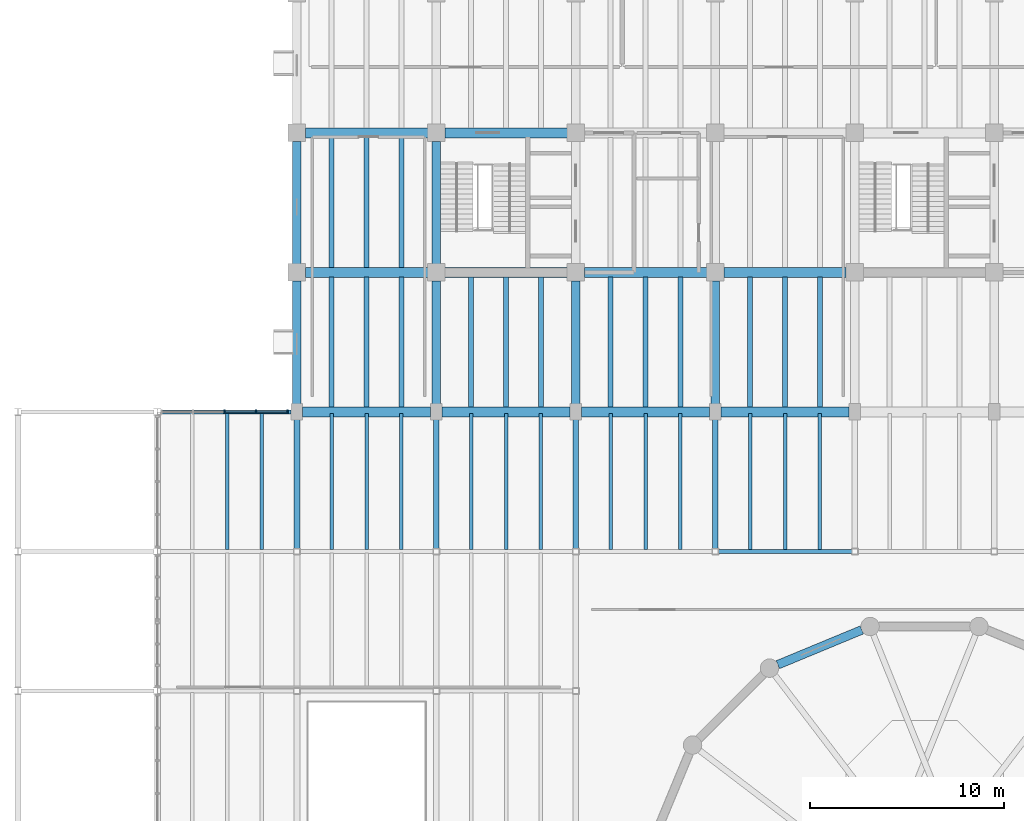
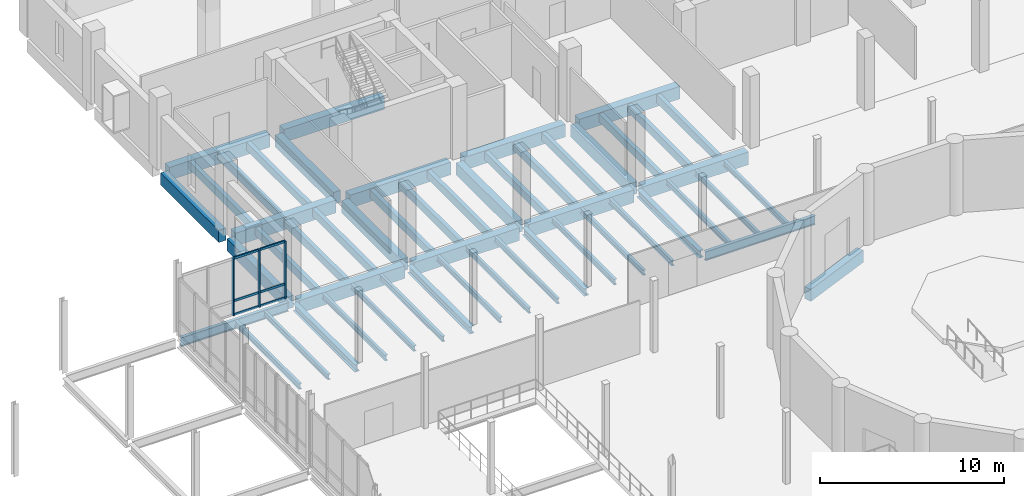
# One storey, part 35 of 77: 52 beams, 9 members, 1 element without a shape of its own.
"""IFC4 building model written with IfcOpenShell, lengths in metres."""

from ifc_helpers import new_model, si_unit, direction, frame, origin, origin_2d, place, context, subcontext, project, spatial, rectangle, i_section, extrude, material, material_profile, profile_set, type_object, element, aggregate, save


model = new_model("IFC4")

# Units and contexts
model_context = context("Model", 3, precision=1e-05, world=origin(), true_north=direction((0.0, 1.0)))
body_context = subcontext(model_context, "Body", "Model", "MODEL_VIEW")
ifc_project = project(units=[si_unit("LENGTHUNIT", "METRE"), si_unit("AREAUNIT", "SQUARE_METRE"), si_unit("VOLUMEUNIT", "CUBIC_METRE"), si_unit("PLANEANGLEUNIT", "RADIAN"), si_unit("MASSUNIT", "GRAM", prefix="KILO")], contexts=[model_context])

# Site, building, storey
site_placement = place(None, origin())
site = spatial("IfcSite", under=ifc_project, at=site_placement, CompositionType="ELEMENT")
building_placement = place(site_placement, origin())
building = spatial("IfcBuilding", under=site, at=building_placement, Name="Qiaolan Assembly House", CompositionType="ELEMENT")
storey_placement = place(building_placement, frame((0.0, 0.0, 5.39990234375)))
storey = spatial("IfcBuildingStorey", under=building, at=storey_placement, Name="L01", CompositionType="ELEMENT", Elevation=5.39990234375)

# Beams
ifc_material_1 = material(Name="Concrete C40/50", Category="concrete")
ifc_material_profile_1 = material_profile(ifc_material_1, rectangle(XDim=0.449951171875, YDim=0.800048828125, at=origin_2d()), Name="RCB 450x800")
ifc_profile_set_1 = profile_set([ifc_material_profile_1], Name="Concrete C40/50")
beam_type_1 = type_object("IfcBeamType", Name="BM-RC-450x800", PredefinedType="BEAM", material=ifc_profile_set_1)
beam_1_placement = place(storey_placement, frame((36.0, 86.68994140625, -0.64990234375), z_axis=(0.0, 1.0, 0.0), x_axis=(-1.0, 0.0, 0.0)))
element("IfcBeam", 1, at=beam_1_placement, inside=storey, type_object=beam_type_1, Name="GB-03 beam BMY-NW-L01-00-00", PredefinedType="BEAM", context=body_context, shape_type="SweptSolid", body=[
    extrude(rectangle(XDim=0.449951171875, YDim=0.800048828125, at=origin_2d()), origin(), (0.0, 0.0, 1.0), 6.469970703125),
])
beam_2_placement = place(storey_placement, frame((36.0, 94.0400390625, -0.64990234375), z_axis=(0.0, 1.0, 0.0), x_axis=(-1.0, 0.0, 0.0)))
element("IfcBeam", 2, at=beam_2_placement, inside=storey, type_object=beam_type_1, Name="GB-03 beam BMY-NW-L01-00-01", PredefinedType="BEAM", context=body_context, shape_type="SweptSolid", body=[
    extrude(rectangle(XDim=0.449951171875, YDim=0.800048828125, at=origin_2d()), origin(), (0.0, 0.0, 1.0), 6.320068359375),
])
beam_3_placement = place(storey_placement, frame((43.199951171875, 86.68994140625, -0.64990234375), z_axis=(0.0, 1.0, 0.0), x_axis=(-1.0, 0.0, 0.0)))
element("IfcBeam", 3, at=beam_3_placement, inside=storey, type_object=beam_type_1, Name="GB-03 beam BMY-NW-L01-01-00", PredefinedType="BEAM", context=body_context, shape_type="SweptSolid", body=[
    extrude(rectangle(XDim=0.449951171875, YDim=0.800048828125, at=origin_2d()), origin(), (0.0, 0.0, 1.0), 6.469970703125),
])
beam_4_placement = place(storey_placement, frame((43.199951171875, 94.0400390625, -0.64990234375), z_axis=(0.0, 1.0, 0.0), x_axis=(-1.0, 0.0, 0.0)))
element("IfcBeam", 4, at=beam_4_placement, inside=storey, type_object=beam_type_1, Name="GB-03 beam BMY-NW-L01-01-01", PredefinedType="BEAM", context=body_context, shape_type="SweptSolid", body=[
    extrude(rectangle(XDim=0.449951171875, YDim=0.800048828125, at=origin_2d()), origin(), (0.0, 0.0, 1.0), 6.320068359375),
])
for number, where, z_axis, x_axis, name in (
    (5, (50.39990234375, 86.68994140625, -0.64990234375), (0.0, 1.0, 0.0), (-1.0, 0.0, 0.0), "GB-03 beam BMY-NW-L01-02-00"),
    (6, (57.60009765625, 86.68994140625, -0.64990234375), (0.0, 1.0, 0.0), (-1.0, 0.0, 0.0), "GB-03 beam BMY-NW-L01-03-00"),
):
    element("IfcBeam", number, at=place(storey_placement, frame(where, z_axis=z_axis, x_axis=x_axis)), inside=storey, type_object=beam_type_1, Name=name, PredefinedType="BEAM", context=body_context, shape_type="SweptSolid", body=[
        extrude(rectangle(XDim=0.449951171875, YDim=0.800048828125, at=origin_2d()), origin(), (0.0, 0.0, 1.0), 6.469970703125),
    ])
beam_5_placement = place(storey_placement, frame((65.1611328125, 75.145263671875, -0.68994140625), z_axis=(-0.923886734906, -0.382666043782, 0.0), x_axis=(0.382666043782, -0.923886734906, 0.0)))
element("IfcBeam", 7, at=beam_5_placement, inside=storey, type_object=beam_type_1, Name="GB-03 beam BM-DRUM-L01-04", PredefinedType="BEAM", context=body_context, shape_type="SweptSolid", body=[
    extrude(rectangle(XDim=0.449951171875, YDim=0.800048828125, at=origin_2d()), origin(), (0.0, 0.0, 1.0), 4.688720703125),
])
ifc_material_2 = material(Name="Concrete C45/55", Category="concrete")
ifc_material_profile_2 = material_profile(ifc_material_2, rectangle(XDim=0.5, YDim=0.85009765625, at=origin_2d()), Name="RCB 500x850")
ifc_profile_set_2 = profile_set([ifc_material_profile_2], Name="Concrete C45/55")
beam_type_2 = type_object("IfcBeamType", Name="BM-RC-500x850", PredefinedType="BEAM", material=ifc_profile_set_2)
beam_6_placement = place(storey_placement, frame((36.2900390625, 86.39990234375, -0.724853515625), z_axis=(1.0, 0.0, 0.0), x_axis=(0.0, 1.0, 0.0)))
element("IfcBeam", 8, at=beam_6_placement, inside=storey, type_object=beam_type_2, Name="GB-02 beam BMX-NW-L01-00-00", PredefinedType="BEAM", context=body_context, shape_type="SweptSolid", body=[
    extrude(rectangle(XDim=0.5, YDim=0.85009765625, at=origin_2d()), origin(), (0.0, 0.0, 1.0), 6.619873046875),
])
for number, where, z_axis, x_axis, name in (
    (9, (43.489990234375, 86.39990234375, -0.724853515625), (1.0, 0.0, 0.0), (0.0, 1.0, 0.0), "GB-02 beam BMX-NW-L01-01-00"),
    (10, (50.68994140625, 86.39990234375, -0.724853515625), (1.0, 0.0, 0.0), (0.0, 1.0, 0.0), "GB-02 beam BMX-NW-L01-02-00"),
    (11, (57.889892578125, 86.39990234375, -0.724853515625), (1.0, 0.0, 0.0), (0.0, 1.0, 0.0), "GB-02 beam BMX-NW-L01-03-00"),
):
    element("IfcBeam", number, at=place(storey_placement, frame(where, z_axis=z_axis, x_axis=x_axis)), inside=storey, type_object=beam_type_2, Name=name, PredefinedType="BEAM", context=body_context, shape_type="SweptSolid", body=[
        extrude(rectangle(XDim=0.5, YDim=0.85009765625, at=origin_2d()), origin(), (0.0, 0.0, 1.0), 6.6201171875),
    ])
for number, where, z_axis, x_axis, name in (
    (12, (36.43994140625, 93.60009765625, -0.6748046875), (1.0, 0.0, 0.0), (0.0, 1.0, 0.0), "GB-02 beam BMX-NW-L01-00-01"),
    (13, (43.639892578125, 93.60009765625, -0.6748046875), (1.0, 0.0, 0.0), (0.0, 1.0, 0.0), "GB-02 beam BMX-NW-L01-01-01"),
):
    element("IfcBeam", number, at=place(storey_placement, frame(where, z_axis=z_axis, x_axis=x_axis)), inside=storey, type_object=beam_type_2, Name=name, PredefinedType="BEAM", context=body_context, shape_type="SweptSolid", body=[
        extrude(rectangle(XDim=0.5, YDim=0.85009765625, at=origin_2d()), origin(), (0.0, 0.0, 1.0), 6.320068359375),
    ])
beam_7_placement = place(storey_placement, frame((50.840087890625, 93.60009765625, -0.6748046875), z_axis=(1.0, 0.0, 0.0), x_axis=(0.0, 1.0, 0.0)))
element("IfcBeam", 14, at=beam_7_placement, inside=storey, type_object=beam_type_2, Name="GB-02 beam BMX-NW-L01-02-01", PredefinedType="BEAM", context=body_context, shape_type="SweptSolid", body=[
    extrude(rectangle(XDim=0.5, YDim=0.85009765625, at=origin_2d()), origin(), (0.0, 0.0, 1.0), 6.31982421875),
])
for number, where, z_axis, x_axis, name in (
    (15, (58.0400390625, 93.60009765625, -0.6748046875), (1.0, 0.0, 0.0), (0.0, 1.0, 0.0), "GB-02 beam BMX-NW-L01-03-01"),
    (16, (36.43994140625, 100.800048828125, -0.6748046875), (1.0, 0.0, 0.0), (0.0, 1.0, 0.0), "GB-02 beam BMX-NW-L01-00-02"),
    (17, (43.639892578125, 100.800048828125, -0.6748046875), (1.0, 0.0, 0.0), (0.0, 1.0, 0.0), "GB-02 beam BMX-NW-L01-01-02"),
):
    element("IfcBeam", number, at=place(storey_placement, frame(where, z_axis=z_axis, x_axis=x_axis)), inside=storey, type_object=beam_type_2, Name=name, PredefinedType="BEAM", context=body_context, shape_type="SweptSolid", body=[
        extrude(rectangle(XDim=0.5, YDim=0.85009765625, at=origin_2d()), origin(), (0.0, 0.0, 1.0), 6.320068359375),
    ])
ifc_material_3 = material(Name="Steel Q355B", Category="steel")
ifc_material_profile_3 = material_profile(ifc_material_3, i_section(OverallWidth=0.300048828125, OverallDepth=0.488037109375, WebThickness=0.010986328125, FlangeThickness=0.01806640625, FilletRadius=0.02001953125, at=origin_2d()), Name="HM 488x300x11x18")
ifc_profile_set_3 = profile_set([ifc_material_profile_3], Name="Steel Q355B")
beam_type_3 = type_object("IfcBeamType", Name="BM-STL-HM488", PredefinedType="BEAM", material=ifc_profile_set_3)
for number, where, z_axis, x_axis, name in (
    (18, (36.0, 79.35009765625, -0.5439453125), (0.0, 1.0, 0.0), (-1.0, 0.0, 0.0), "SB-04 beam BMY-HL-L01-02-06"),
    (19, (43.199951171875, 79.35009765625, -0.5439453125), (0.0, 1.0, 0.0), (-1.0, 0.0, 0.0), "SB-04 beam BMY-HL-L01-03-06"),
    (20, (50.39990234375, 79.35009765625, -0.5439453125), (0.0, 1.0, 0.0), (-1.0, 0.0, 0.0), "SB-04 beam BMY-HL-L01-04-06"),
    (21, (57.60009765625, 79.35009765625, -0.5439453125), (0.0, 1.0, 0.0), (-1.0, 0.0, 0.0), "SB-04 beam BMY-HL-L01-05-06"),
):
    element("IfcBeam", number, at=place(storey_placement, frame(where, z_axis=z_axis, x_axis=x_axis)), inside=storey, type_object=beam_type_3, Name=name, PredefinedType="BEAM", context=body_context, shape_type="SweptSolid", body=[
        extrude(i_section(OverallWidth=0.300048828125, OverallDepth=0.488037109375, WebThickness=0.010986328125, FlangeThickness=0.01806640625, FilletRadius=0.02001953125, at=origin_2d()), origin(), (0.0, 0.0, 1.0), 6.760009765625),
    ])
ifc_material_profile_4 = material_profile(ifc_material_3, i_section(OverallWidth=0.199951171875, OverallDepth=0.60009765625, WebThickness=0.010986328125, FlangeThickness=0.01708984375, FilletRadius=0.02001953125, at=origin_2d()), Name="HN 600x200x11x17")
ifc_profile_set_4 = profile_set([ifc_material_profile_4], Name="Steel Q355B")
beam_type_4 = type_object("IfcBeamType", Name="BM-STL-HN600", PredefinedType="BEAM", material=ifc_profile_set_4)
beam_8_placement = place(storey_placement, frame((57.75, 79.199951171875, -0.599853515625), z_axis=(1.0, 0.0, 0.0), x_axis=(0.0, 1.0, 0.0)))
element("IfcBeam", 22, at=beam_8_placement, inside=storey, type_object=beam_type_4, Name="SB-03 beam BMX-HL-L01-05-06", PredefinedType="BEAM", context=body_context, shape_type="SweptSolid", body=[
    extrude(i_section(OverallWidth=0.199951171875, OverallDepth=0.60009765625, WebThickness=0.010986328125, FlangeThickness=0.01708984375, FilletRadius=0.02001953125, at=origin_2d()), origin(), (0.0, 0.0, 1.0), 6.89990234375),
])
beam_9_placement = place(storey_placement, frame((28.965087890625, 86.39990234375, -0.599853515625), z_axis=(1.0, 0.0, 0.0), x_axis=(0.0, 1.0, 0.0)))
element("IfcBeam", 23, at=beam_9_placement, inside=storey, type_object=beam_type_4, Name="SB-03 beam BMX-HL-L01-01-07", PredefinedType="BEAM", context=body_context, shape_type="SweptSolid", body=[
    extrude(i_section(OverallWidth=0.199951171875, OverallDepth=0.60009765625, WebThickness=0.010986328125, FlangeThickness=0.01708984375, FilletRadius=0.02001953125, at=origin_2d()), origin(), (0.0, 0.0, 1.0), 6.744873046875),
])

# Curtain wall, members
ifc_material_4 = material(Name="Anodised bronze aluminium", Category="aluminium")
curtain_wall_type = type_object("IfcCurtainWallType", Name="CW-HALL-UPPER-480", PredefinedType="NOTDEFINED", material=ifc_material_4)
curtain_wall_placement = place(storey_placement, origin())
curtain_wall = element("IfcCurtainWall", 24, at=curtain_wall_placement, inside=storey, type_object=curtain_wall_type, Name="CW-02 Hall North-West link CW L01", PredefinedType="NOTDEFINED")
ifc_material_profile_5 = material_profile(ifc_material_4, rectangle(XDim=0.0859375, YDim=0.199951171875, at=origin_2d()), Name="MUL 86x200")
ifc_profile_set_5 = profile_set([ifc_material_profile_5], Name="Anodised bronze aluminium")
member_type_1 = type_object("IfcMemberType", Name="CW-HALL-UPPER-480-MUL", PredefinedType="MULLION", material=ifc_profile_set_5)
member_1_placement = place(storey_placement, frame((35.52001953125, 86.39990234375, 0.0), z_axis=(0.0, 0.0, 1.0), x_axis=(-1.0, 0.0, 0.0)))
member_1 = element("IfcMember", 25, at=member_1_placement, type_object=member_type_1, Name="ML-02 mullion CW-HALL-NWJ-L01-1", PredefinedType="MULLION", context=body_context, shape_type="SweptSolid", body=[
    extrude(rectangle(XDim=0.0859375, YDim=0.199951171875, at=origin_2d()), origin(), (0.0, 0.0, 1.0), 3.800048828125),
])
member_2_placement = place(storey_placement, frame((33.89501953125, 86.39990234375, 0.0), z_axis=(0.0, 0.0, 1.0), x_axis=(-1.0, 0.0, 0.0)))
member_2 = element("IfcMember", 26, at=member_2_placement, type_object=member_type_1, Name="ML-02 mullion CW-HALL-NWJ-L01-2", PredefinedType="MULLION", context=body_context, shape_type="SweptSolid", body=[
    extrude(rectangle(XDim=0.0859375, YDim=0.199951171875, at=origin_2d()), origin(), (0.0, 0.0, 1.0), 3.800048828125),
])
member_3_placement = place(storey_placement, frame((32.27001953125, 86.39990234375, 0.0), z_axis=(0.0, 0.0, 1.0), x_axis=(-1.0, 0.0, 0.0)))
member_3 = element("IfcMember", 27, at=member_3_placement, type_object=member_type_1, Name="ML-02 mullion CW-HALL-NWJ-L01-3", PredefinedType="MULLION", context=body_context, shape_type="SweptSolid", body=[
    extrude(rectangle(XDim=0.0859375, YDim=0.199951171875, at=origin_2d()), origin(), (0.0, 0.0, 1.0), 3.800048828125),
])
ifc_material_profile_6 = material_profile(ifc_material_4, rectangle(XDim=0.075927734375, YDim=0.14990234375, at=origin_2d()), Name="TRN 76x150")
ifc_profile_set_6 = profile_set([ifc_material_profile_6], Name="Anodised bronze aluminium")
member_type_2 = type_object("IfcMemberType", Name="CW-HALL-UPPER-480-TRN", PredefinedType="USERDEFINED", material=ifc_profile_set_6)
member_4_placement = place(storey_placement, frame((35.47705078125, 86.39990234375, 0.030029296875), z_axis=(-1.0, 0.0, 0.0), x_axis=(0.0, -1.0, 0.0)))
member_4 = element("IfcMember", 28, at=member_4_placement, type_object=member_type_2, Name="TR-02 transom CW-HALL-NWJ-L01-1-1", ObjectType="TRANSOM", PredefinedType="USERDEFINED", context=body_context, shape_type="SweptSolid", body=[
    extrude(rectangle(XDim=0.075927734375, YDim=0.14990234375, at=origin_2d()), origin(), (0.0, 0.0, 1.0), 1.5390625),
])
member_5_placement = place(storey_placement, frame((35.47705078125, 86.39990234375, 0.9501953125), z_axis=(-1.0, 0.0, 0.0), x_axis=(0.0, -1.0, 0.0)))
member_5 = element("IfcMember", 29, at=member_5_placement, type_object=member_type_2, Name="TR-02 transom CW-HALL-NWJ-L01-1-2", ObjectType="TRANSOM", PredefinedType="USERDEFINED", context=body_context, shape_type="SweptSolid", body=[
    extrude(rectangle(XDim=0.075927734375, YDim=0.14990234375, at=origin_2d()), origin(), (0.0, 0.0, 1.0), 1.5390625),
])
member_6_placement = place(storey_placement, frame((35.47705078125, 86.39990234375, 3.77001953125), z_axis=(-1.0, 0.0, 0.0), x_axis=(0.0, -1.0, 0.0)))
member_6 = element("IfcMember", 30, at=member_6_placement, type_object=member_type_2, Name="TR-02 transom CW-HALL-NWJ-L01-1-3", ObjectType="TRANSOM", PredefinedType="USERDEFINED", context=body_context, shape_type="SweptSolid", body=[
    extrude(rectangle(XDim=0.075927734375, YDim=0.14990234375, at=origin_2d()), origin(), (0.0, 0.0, 1.0), 1.5390625),
])
member_7_placement = place(storey_placement, frame((33.85205078125, 86.39990234375, 0.030029296875), z_axis=(-1.0, 0.0, 0.0), x_axis=(0.0, -1.0, 0.0)))
member_7 = element("IfcMember", 31, at=member_7_placement, type_object=member_type_2, Name="TR-02 transom CW-HALL-NWJ-L01-2-1", ObjectType="TRANSOM", PredefinedType="USERDEFINED", context=body_context, shape_type="SweptSolid", body=[
    extrude(rectangle(XDim=0.075927734375, YDim=0.14990234375, at=origin_2d()), origin(), (0.0, 0.0, 1.0), 1.5390625),
])
member_8_placement = place(storey_placement, frame((33.85205078125, 86.39990234375, 0.9501953125), z_axis=(-1.0, 0.0, 0.0), x_axis=(0.0, -1.0, 0.0)))
member_8 = element("IfcMember", 32, at=member_8_placement, type_object=member_type_2, Name="TR-02 transom CW-HALL-NWJ-L01-2-2", ObjectType="TRANSOM", PredefinedType="USERDEFINED", context=body_context, shape_type="SweptSolid", body=[
    extrude(rectangle(XDim=0.075927734375, YDim=0.14990234375, at=origin_2d()), origin(), (0.0, 0.0, 1.0), 1.5390625),
])
member_9_placement = place(storey_placement, frame((33.85205078125, 86.39990234375, 3.77001953125), z_axis=(-1.0, 0.0, 0.0), x_axis=(0.0, -1.0, 0.0)))
member_9 = element("IfcMember", 33, at=member_9_placement, type_object=member_type_2, Name="TR-02 transom CW-HALL-NWJ-L01-2-3", ObjectType="TRANSOM", PredefinedType="USERDEFINED", context=body_context, shape_type="SweptSolid", body=[
    extrude(rectangle(XDim=0.075927734375, YDim=0.14990234375, at=origin_2d()), origin(), (0.0, 0.0, 1.0), 1.5390625),
])
aggregate(curtain_wall, [member_1, member_2, member_3, member_4, member_5, member_6, member_7, member_8, member_9])

# Beams
ifc_material_profile_7 = material_profile(ifc_material_1, rectangle(XDim=0.260009765625, YDim=0.52001953125, at=origin_2d()), Name="RCB 260x520")
ifc_profile_set_7 = profile_set([ifc_material_profile_7], Name="Concrete C40/50")
beam_type_5 = type_object("IfcBeamType", Name="JST-RC-260x520", PredefinedType="JOIST", material=ifc_profile_set_7)
for number, where, z_axis, x_axis, name in (
    (34, (37.800048828125, 86.64404296875, -0.559814453125), (0.0, 1.0, 0.0), (-1.0, 0.0, 0.0), "RJ-07 beam JST-NW-L01-00-00-1"),
    (35, (39.60009765625, 86.64404296875, -0.559814453125), (0.0, 1.0, 0.0), (-1.0, 0.0, 0.0), "RJ-07 beam JST-NW-L01-00-00-2"),
    (36, (41.39990234375, 86.64404296875, -0.559814453125), (0.0, 1.0, 0.0), (-1.0, 0.0, 0.0), "RJ-07 beam JST-NW-L01-00-00-3"),
    (37, (37.800048828125, 93.843994140625, -0.510009765625), (0.0, 1.0, 0.0), (-1.0, 0.0, 0.0), "RJ-07 beam JST-NW-L01-00-01-1"),
    (38, (39.60009765625, 93.843994140625, -0.510009765625), (0.0, 1.0, 0.0), (-1.0, 0.0, 0.0), "RJ-07 beam JST-NW-L01-00-01-2"),
    (39, (41.39990234375, 93.843994140625, -0.510009765625), (0.0, 1.0, 0.0), (-1.0, 0.0, 0.0), "RJ-07 beam JST-NW-L01-00-01-3"),
    (40, (45.0, 86.64404296875, -0.559814453125), (0.0, 1.0, 0.0), (-1.0, 0.0, 0.0), "RJ-07 beam JST-NW-L01-01-00-1"),
    (41, (46.800048828125, 86.64404296875, -0.559814453125), (0.0, 1.0, 0.0), (-1.0, 0.0, 0.0), "RJ-07 beam JST-NW-L01-01-00-2"),
    (42, (48.60009765625, 86.64404296875, -0.559814453125), (0.0, 1.0, 0.0), (-1.0, 0.0, 0.0), "RJ-07 beam JST-NW-L01-01-00-3"),
    (43, (52.199951171875, 86.64404296875, -0.559814453125), (0.0, 1.0, 0.0), (-1.0, 0.0, 0.0), "RJ-07 beam JST-NW-L01-02-00-1"),
    (44, (54.0, 86.64404296875, -0.559814453125), (0.0, 1.0, 0.0), (-1.0, 0.0, 0.0), "RJ-07 beam JST-NW-L01-02-00-2"),
    (45, (55.800048828125, 86.64404296875, -0.559814453125), (0.0, 1.0, 0.0), (-1.0, 0.0, 0.0), "RJ-07 beam JST-NW-L01-02-00-3"),
    (46, (59.39990234375, 86.64404296875, -0.559814453125), (0.0, 1.0, 0.0), (-1.0, 0.0, 0.0), "RJ-07 beam JST-NW-L01-03-00-1"),
    (47, (61.199951171875, 86.64404296875, -0.559814453125), (0.0, 1.0, 0.0), (-1.0, 0.0, 0.0), "RJ-07 beam JST-NW-L01-03-00-2"),
    (48, (63.0, 86.64404296875, -0.559814453125), (0.0, 1.0, 0.0), (-1.0, 0.0, 0.0), "RJ-07 beam JST-NW-L01-03-00-3"),
):
    element("IfcBeam", number, at=place(storey_placement, frame(where, z_axis=z_axis, x_axis=x_axis)), inside=storey, type_object=beam_type_5, Name=name, PredefinedType="JOIST", context=body_context, shape_type="SweptSolid", body=[
        extrude(rectangle(XDim=0.260009765625, YDim=0.52001953125, at=origin_2d()), origin(), (0.0, 0.0, 1.0), 6.7119140625),
    ])
ifc_material_profile_8 = material_profile(ifc_material_3, i_section(OverallWidth=0.179931640625, OverallDepth=0.360107421875, WebThickness=0.008056640625, FlangeThickness=0.011962890625, FilletRadius=0.013916015625, at=origin_2d()), Name="HN 360x180x8x12")
ifc_profile_set_8 = profile_set([ifc_material_profile_8], Name="Steel Q355B")
beam_type_6 = type_object("IfcBeamType", Name="JST-STL-HN360", PredefinedType="JOIST", material=ifc_profile_set_8)
for number, where, z_axis, x_axis, name in (
    (49, (32.39990234375, 79.2939453125, -0.47998046875), (0.0, 1.0, 0.0), (-1.0, 0.0, 0.0), "SJ-06 beam JST-HL-L01-01-06-2"),
    (50, (34.199951171875, 79.2939453125, -0.47998046875), (0.0, 1.0, 0.0), (-1.0, 0.0, 0.0), "SJ-06 beam JST-HL-L01-01-06-3"),
    (51, (37.800048828125, 79.2939453125, -0.47998046875), (0.0, 1.0, 0.0), (-1.0, 0.0, 0.0), "SJ-06 beam JST-HL-L01-02-06-1"),
    (52, (39.60009765625, 79.2939453125, -0.47998046875), (0.0, 1.0, 0.0), (-1.0, 0.0, 0.0), "SJ-06 beam JST-HL-L01-02-06-2"),
    (53, (41.39990234375, 79.2939453125, -0.47998046875), (0.0, 1.0, 0.0), (-1.0, 0.0, 0.0), "SJ-06 beam JST-HL-L01-02-06-3"),
    (54, (45.0, 79.2939453125, -0.47998046875), (0.0, 1.0, 0.0), (-1.0, 0.0, 0.0), "SJ-06 beam JST-HL-L01-03-06-1"),
    (55, (46.800048828125, 79.2939453125, -0.47998046875), (0.0, 1.0, 0.0), (-1.0, 0.0, 0.0), "SJ-06 beam JST-HL-L01-03-06-2"),
    (56, (48.60009765625, 79.2939453125, -0.47998046875), (0.0, 1.0, 0.0), (-1.0, 0.0, 0.0), "SJ-06 beam JST-HL-L01-03-06-3"),
    (57, (52.199951171875, 79.2939453125, -0.47998046875), (0.0, 1.0, 0.0), (-1.0, 0.0, 0.0), "SJ-06 beam JST-HL-L01-04-06-1"),
    (58, (54.0, 79.2939453125, -0.47998046875), (0.0, 1.0, 0.0), (-1.0, 0.0, 0.0), "SJ-06 beam JST-HL-L01-04-06-2"),
    (59, (55.800048828125, 79.2939453125, -0.47998046875), (0.0, 1.0, 0.0), (-1.0, 0.0, 0.0), "SJ-06 beam JST-HL-L01-04-06-3"),
    (60, (59.39990234375, 79.2939453125, -0.47998046875), (0.0, 1.0, 0.0), (-1.0, 0.0, 0.0), "SJ-06 beam JST-HL-L01-05-06-1"),
    (61, (61.199951171875, 79.2939453125, -0.47998046875), (0.0, 1.0, 0.0), (-1.0, 0.0, 0.0), "SJ-06 beam JST-HL-L01-05-06-2"),
    (62, (63.0, 79.2939453125, -0.47998046875), (0.0, 1.0, 0.0), (-1.0, 0.0, 0.0), "SJ-06 beam JST-HL-L01-05-06-3"),
):
    element("IfcBeam", number, at=place(storey_placement, frame(where, z_axis=z_axis, x_axis=x_axis)), inside=storey, type_object=beam_type_6, Name=name, PredefinedType="JOIST", context=body_context, shape_type="SweptSolid", body=[
        extrude(i_section(OverallWidth=0.179931640625, OverallDepth=0.360107421875, WebThickness=0.008056640625, FlangeThickness=0.011962890625, FilletRadius=0.013916015625, at=origin_2d()), origin(), (0.0, 0.0, 1.0), 7.011962890625),
    ])

save(model, "model.ifc")
